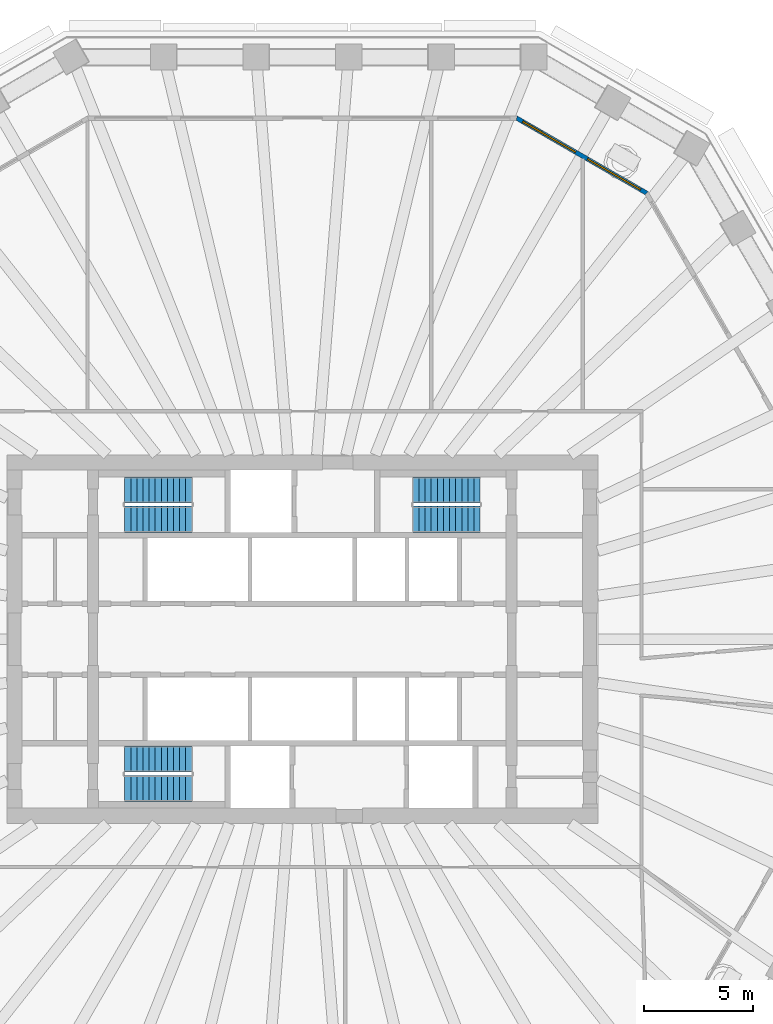
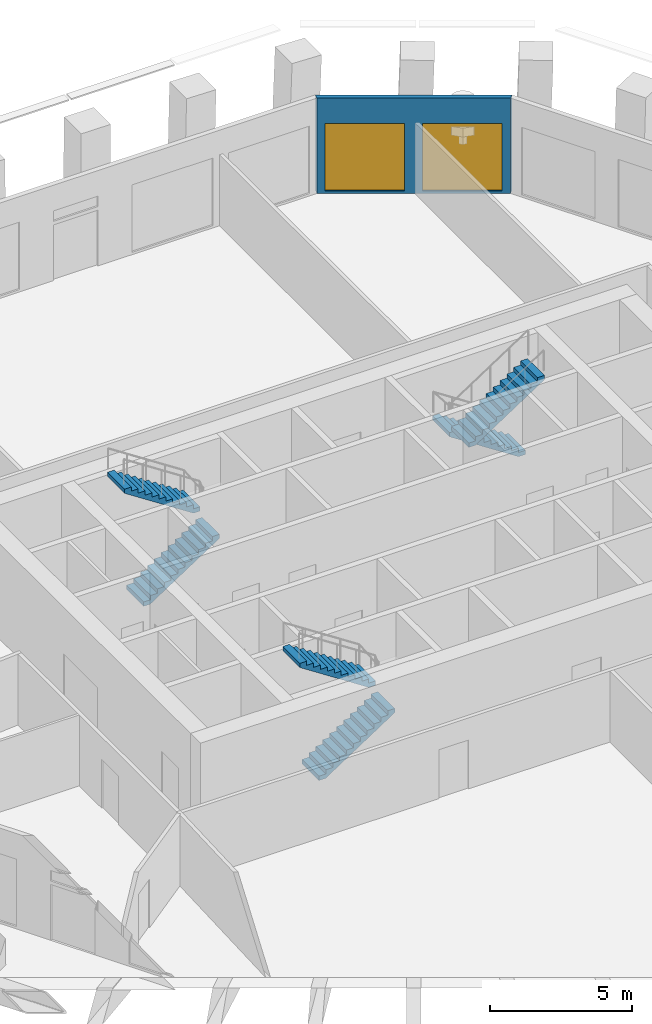
# One storey, part 8 of 12: 6 stair flights, 2 windows, 1 wall, 2 openings, 3 elements without a shape of their own.
"""IFC4 building model written with IfcOpenShell, lengths in metres."""

from ifc_helpers import new_model, si_unit, direction, frame, frame_2d, origin, place, context, subcontext, project, spatial, polyline, rectangle, outline, extrude, material, layer, layer_set, type_object, element, fill, aggregate, save


model = new_model("IFC4")

# Units and contexts
model_context = context("Model", 3, precision=1e-05, world=origin(), true_north=direction((0.0, 1.0)))
body_context = subcontext(model_context, "Body", "Model", "MODEL_VIEW")
ifc_project = project(units=[si_unit("LENGTHUNIT", "METRE"), si_unit("AREAUNIT", "SQUARE_METRE"), si_unit("VOLUMEUNIT", "CUBIC_METRE"), si_unit("PLANEANGLEUNIT", "RADIAN"), si_unit("MASSUNIT", "GRAM", prefix="KILO")], contexts=[model_context])

# Site, building, storey
site_placement = place(None, origin())
site = spatial("IfcSite", under=ifc_project, at=site_placement, CompositionType="ELEMENT")
building_placement = place(site_placement, origin())
building = spatial("IfcBuilding", under=site, at=building_placement, Name="Frailejon Research Tower", CompositionType="ELEMENT")
storey_placement = place(building_placement, frame((0.0, 0.0, 145.199951171875)))
storey = spatial("IfcBuildingStorey", under=building, at=storey_placement, Name="L31", CompositionType="ELEMENT", Elevation=145.199951171875)

# Wall, openings, windows
ifc_material_1 = material(Name="Concrete C40/50 precast window wall panel", Category="concrete")
ifc_layer_1 = layer(ifc_material_1, 0.199951171875)
ifc_layer_set_1 = layer_set([ifc_layer_1], Name="Window wall 200")
wall_type = type_object("IfcWallType", Name="Window wall 200", PredefinedType="SOLIDWALL", material=ifc_layer_set_1)
wall_placement = place(storey_placement, frame((15.783203125, 20.462646484375, 0.0), z_axis=(0.0, 0.0, 1.0), x_axis=(-0.866029458321, 0.49999297727, 0.0)))
wall = element("IfcWall", 1, at=wall_placement, inside=storey, type_object=wall_type, Name="Exterior wall L31", PredefinedType="SOLIDWALL", context=body_context, shape_type="SweptSolid", body=[
    extrude(outline(polyline([(-0.02685546875, -0.10009765625), (1.1279296875, -0.10009765625), (2.282470703125, -0.10009765625), (3.437255859375, -0.10009765625), (4.592041015625, -0.10009765625), (5.74658203125, -0.10009765625), (6.9013671875, -0.10009765625), (6.84765625, 0.10009765625), (5.7109375, 0.10009765625), (4.573974609375, 0.10009765625), (3.437255859375, 0.10009765625), (2.300537109375, 0.10009765625), (1.16357421875, 0.10009765625), (0.02685546875, 0.10009765625), (-0.02685546875, -0.10009765625)])), origin(), (0.0, 0.0, 1.0), 4.10009765625),
])
opening_1_placement = place(wall_placement, frame((0.318603515625, 0.0, 0.10009765625)))
opening_1 = element("IfcOpeningElement", 2, at=opening_1_placement, cuts=wall, Name="Opening W3", PredefinedType="OPENING", context=body_context, shape_type="SweptSolid", body=[
    extrude(rectangle(XDim=2.800048828125, YDim=2.89990234375, at=frame_2d((1.39990234375, 1.449951171875))), frame((0.0, 0.10986328125, 0.0), z_axis=(0.0, -1.0, 0.0), x_axis=(1.0, 0.0, 0.0)), (0.0, 0.0, 1.0), 0.219970703125),
])
opening_2_placement = place(wall_placement, frame((3.756103515625, 0.0, 0.10009765625)))
opening_2 = element("IfcOpeningElement", 3, at=opening_2_placement, cuts=wall, Name="Opening W3", PredefinedType="OPENING", context=body_context, shape_type="SweptSolid", body=[
    extrude(rectangle(XDim=2.800048828125, YDim=2.89990234375, at=frame_2d((1.39990234375, 1.449951171875))), frame((0.0, 0.10986328125, 0.0), z_axis=(0.0, -1.0, 0.0), x_axis=(1.0, 0.0, 0.0)), (0.0, 0.0, 1.0), 0.219970703125),
])
ifc_material_2 = material(Name="Aluminium framed double glazing", Category="aluminium")
window_type = type_object("IfcWindowType", Name="Window 2800x2900", PartitioningType="SINGLE_PANEL", PredefinedType="WINDOW", material=ifc_material_2)
window_1_placement = place(opening_1_placement, origin())
window_1 = element("IfcWindow", 4, at=window_1_placement, inside=storey, type_object=window_type, Name="Window L31", OverallHeight=2.89990234375, OverallWidth=2.800048828125, PartitioningType="SINGLE_PANEL", PredefinedType="WINDOW", context=body_context, shape_type="SweptSolid", body=[
    extrude(rectangle(XDim=2.800048828125, YDim=2.89990234375, at=frame_2d((1.39990234375, 1.449951171875))), frame((0.0, 0.030029296875, 0.0), z_axis=(0.0, -1.0, 0.0), x_axis=(1.0, 0.0, 0.0)), (0.0, 0.0, 1.0), 0.06005859375),
])
fill(opening_1, window_1)
window_2_placement = place(opening_2_placement, origin())
window_2 = element("IfcWindow", 5, at=window_2_placement, inside=storey, type_object=window_type, Name="Window L31", OverallHeight=2.89990234375, OverallWidth=2.800048828125, PartitioningType="SINGLE_PANEL", PredefinedType="WINDOW", context=body_context, shape_type="SweptSolid", body=[
    extrude(rectangle(XDim=2.800048828125, YDim=2.89990234375, at=frame_2d((1.39990234375, 1.449951171875))), frame((0.0, 0.030029296875, 0.0), z_axis=(0.0, -1.0, 0.0), x_axis=(1.0, 0.0, 0.0)), (0.0, 0.0, 1.0), 0.06005859375),
])
fill(opening_2, window_2)

# Stair, stair flights
ifc_material_3 = material(Name="Concrete C50/60", Category="concrete")
stair_type = type_object("IfcStairType", Name="Exit stair 24 risers", PredefinedType="HALF_TURN_STAIR", material=ifc_material_3)
stair_1_placement = place(storey_placement, origin())
stair_1 = element("IfcStair", 6, at=stair_1_placement, inside=storey, type_object=stair_type, Name="L31 Exit stair ST1", PredefinedType="HALF_TURN_STAIR")
ifc_material_4 = material(Name="Concrete C50/60", Category="concrete")
ifc_layer_2 = layer(ifc_material_4, 0.14990234375)
ifc_layer_set_2 = layer_set([ifc_layer_2], Name="Stair flight 12 risers")
stair_flight_type = type_object("IfcStairFlightType", Name="Stair flight 12 risers", PredefinedType="STRAIGHT", material=ifc_layer_set_2)
stair_flight_1_placement = place(storey_placement, frame((-8.14990234375, 5.5, 0.0), z_axis=(0.0, 0.0, 1.0), x_axis=(1.0, 0.0, 0.0)))
stair_flight_1 = element("IfcStairFlight", 7, at=stair_flight_1_placement, type_object=stair_flight_type, Name="ST1 flight 1", NumberOfRisers=12, NumberOfTreads=11, PredefinedType="STRAIGHT", RiserHeight=0.183333333, TreadLength=0.28, context=body_context, shape_type="SweptSolid", body=[
    extrude(outline(polyline([(0.0, 0.0), (0.0, 0.183349609375), (0.280029296875, 0.183349609375), (0.280029296875, 0.36669921875), (0.56005859375, 0.36669921875), (0.56005859375, 0.550048828125), (0.840087890625, 0.550048828125), (0.840087890625, 0.7333984375), (1.1201171875, 0.7333984375), (1.1201171875, 0.916748046875), (1.39990234375, 0.916748046875), (1.39990234375, 1.10009765625), (1.679931640625, 1.10009765625), (1.679931640625, 1.283447265625), (1.9599609375, 1.283447265625), (1.9599609375, 1.466552734375), (2.239990234375, 1.466552734375), (2.239990234375, 1.64990234375), (2.52001953125, 1.64990234375), (2.52001953125, 1.833251953125), (2.800048828125, 1.833251953125), (2.800048828125, 2.0166015625), (3.080078125, 2.0166015625), (3.080078125, 2.199951171875), (3.080078125, 1.83740234375), (0.273681640625, 0.0), (0.0, 0.0)])), frame((0.0, 0.60009765625, 0.0), z_axis=(0.0, -1.0, 0.0), x_axis=(1.0, 0.0, 0.0)), (0.0, 0.0, 1.0), 1.199951171875),
])
stair_flight_2_placement = place(storey_placement, frame((-5.070068359375, 6.85009765625, 2.199951171875), z_axis=(0.0, 0.0, 1.0), x_axis=(-1.0, 0.0, 0.0)))
stair_flight_2 = element("IfcStairFlight", 8, at=stair_flight_2_placement, type_object=stair_flight_type, Name="ST1 flight 2", NumberOfRisers=12, NumberOfTreads=11, PredefinedType="STRAIGHT", RiserHeight=0.183333333, TreadLength=0.28, context=body_context, shape_type="SweptSolid", body=[
    extrude(outline(polyline([(0.0, 0.0), (0.0, 0.183349609375), (0.280029296875, 0.183349609375), (0.280029296875, 0.36669921875), (0.56005859375, 0.36669921875), (0.56005859375, 0.550048828125), (0.840087890625, 0.550048828125), (0.840087890625, 0.7333984375), (1.1201171875, 0.7333984375), (1.1201171875, 0.916748046875), (1.39990234375, 0.916748046875), (1.39990234375, 1.10009765625), (1.679931640625, 1.10009765625), (1.679931640625, 1.283447265625), (1.9599609375, 1.283447265625), (1.9599609375, 1.466552734375), (2.239990234375, 1.466552734375), (2.239990234375, 1.64990234375), (2.52001953125, 1.64990234375), (2.52001953125, 1.833251953125), (2.800048828125, 1.833251953125), (2.800048828125, 2.0166015625), (3.080078125, 2.0166015625), (3.080078125, 2.199951171875), (3.080078125, 1.83740234375), (0.273681640625, 0.0), (0.0, 0.0)])), frame((0.0, 0.60009765625, 0.0), z_axis=(0.0, -1.0, 0.0), x_axis=(1.0, 0.0, 0.0)), (0.0, 0.0, 1.0), 1.199951171875),
])
aggregate(stair_1, [stair_flight_1, stair_flight_2])

stair_2_placement = place(storey_placement, origin())
stair_2 = element("IfcStair", 9, at=stair_2_placement, inside=storey, type_object=stair_type, Name="L31 Exit stair ST2", PredefinedType="HALF_TURN_STAIR")
stair_flight_3_placement = place(storey_placement, frame((-8.14990234375, -6.85009765625, 0.0), z_axis=(0.0, 0.0, 1.0), x_axis=(1.0, 0.0, 0.0)))
stair_flight_3 = element("IfcStairFlight", 10, at=stair_flight_3_placement, type_object=stair_flight_type, Name="ST2 flight 1", NumberOfRisers=12, NumberOfTreads=11, PredefinedType="STRAIGHT", RiserHeight=0.183333333, TreadLength=0.28, context=body_context, shape_type="SweptSolid", body=[
    extrude(outline(polyline([(0.0, 0.0), (0.0, 0.183349609375), (0.280029296875, 0.183349609375), (0.280029296875, 0.36669921875), (0.56005859375, 0.36669921875), (0.56005859375, 0.550048828125), (0.840087890625, 0.550048828125), (0.840087890625, 0.7333984375), (1.1201171875, 0.7333984375), (1.1201171875, 0.916748046875), (1.39990234375, 0.916748046875), (1.39990234375, 1.10009765625), (1.679931640625, 1.10009765625), (1.679931640625, 1.283447265625), (1.9599609375, 1.283447265625), (1.9599609375, 1.466552734375), (2.239990234375, 1.466552734375), (2.239990234375, 1.64990234375), (2.52001953125, 1.64990234375), (2.52001953125, 1.833251953125), (2.800048828125, 1.833251953125), (2.800048828125, 2.0166015625), (3.080078125, 2.0166015625), (3.080078125, 2.199951171875), (3.080078125, 1.83740234375), (0.273681640625, 0.0), (0.0, 0.0)])), frame((0.0, 0.60009765625, 0.0), z_axis=(0.0, -1.0, 0.0), x_axis=(1.0, 0.0, 0.0)), (0.0, 0.0, 1.0), 1.199951171875),
])
stair_flight_4_placement = place(storey_placement, frame((-5.070068359375, -5.5, 2.199951171875), z_axis=(0.0, 0.0, 1.0), x_axis=(-1.0, 0.0, 0.0)))
stair_flight_4 = element("IfcStairFlight", 11, at=stair_flight_4_placement, type_object=stair_flight_type, Name="ST2 flight 2", NumberOfRisers=12, NumberOfTreads=11, PredefinedType="STRAIGHT", RiserHeight=0.183333333, TreadLength=0.28, context=body_context, shape_type="SweptSolid", body=[
    extrude(outline(polyline([(0.0, 0.0), (0.0, 0.183349609375), (0.280029296875, 0.183349609375), (0.280029296875, 0.36669921875), (0.56005859375, 0.36669921875), (0.56005859375, 0.550048828125), (0.840087890625, 0.550048828125), (0.840087890625, 0.7333984375), (1.1201171875, 0.7333984375), (1.1201171875, 0.916748046875), (1.39990234375, 0.916748046875), (1.39990234375, 1.10009765625), (1.679931640625, 1.10009765625), (1.679931640625, 1.283447265625), (1.9599609375, 1.283447265625), (1.9599609375, 1.466552734375), (2.239990234375, 1.466552734375), (2.239990234375, 1.64990234375), (2.52001953125, 1.64990234375), (2.52001953125, 1.833251953125), (2.800048828125, 1.833251953125), (2.800048828125, 2.0166015625), (3.080078125, 2.0166015625), (3.080078125, 2.199951171875), (3.080078125, 1.83740234375), (0.273681640625, 0.0), (0.0, 0.0)])), frame((0.0, 0.60009765625, 0.0), z_axis=(0.0, -1.0, 0.0), x_axis=(1.0, 0.0, 0.0)), (0.0, 0.0, 1.0), 1.199951171875),
])
aggregate(stair_2, [stair_flight_3, stair_flight_4])

stair_3_placement = place(storey_placement, origin())
stair_3 = element("IfcStair", 12, at=stair_3_placement, inside=storey, type_object=stair_type, Name="L31 Exit stair ST3", PredefinedType="HALF_TURN_STAIR")
stair_flight_5_placement = place(storey_placement, frame((8.14990234375, 6.85009765625, 0.0), z_axis=(0.0, 0.0, 1.0), x_axis=(-1.0, 0.0, 0.0)))
stair_flight_5 = element("IfcStairFlight", 13, at=stair_flight_5_placement, type_object=stair_flight_type, Name="ST3 flight 1", NumberOfRisers=12, NumberOfTreads=11, PredefinedType="STRAIGHT", RiserHeight=0.183333333, TreadLength=0.28, context=body_context, shape_type="SweptSolid", body=[
    extrude(outline(polyline([(0.0, 0.0), (0.0, 0.183349609375), (0.280029296875, 0.183349609375), (0.280029296875, 0.36669921875), (0.56005859375, 0.36669921875), (0.56005859375, 0.550048828125), (0.840087890625, 0.550048828125), (0.840087890625, 0.7333984375), (1.1201171875, 0.7333984375), (1.1201171875, 0.916748046875), (1.39990234375, 0.916748046875), (1.39990234375, 1.10009765625), (1.679931640625, 1.10009765625), (1.679931640625, 1.283447265625), (1.9599609375, 1.283447265625), (1.9599609375, 1.466552734375), (2.239990234375, 1.466552734375), (2.239990234375, 1.64990234375), (2.52001953125, 1.64990234375), (2.52001953125, 1.833251953125), (2.800048828125, 1.833251953125), (2.800048828125, 2.0166015625), (3.080078125, 2.0166015625), (3.080078125, 2.199951171875), (3.080078125, 1.83740234375), (0.273681640625, 0.0), (0.0, 0.0)])), frame((0.0, 0.60009765625, 0.0), z_axis=(0.0, -1.0, 0.0), x_axis=(1.0, 0.0, 0.0)), (0.0, 0.0, 1.0), 1.199951171875),
])
stair_flight_6_placement = place(storey_placement, frame((5.070068359375, 5.5, 2.199951171875), z_axis=(0.0, 0.0, 1.0), x_axis=(1.0, 0.0, 0.0)))
stair_flight_6 = element("IfcStairFlight", 14, at=stair_flight_6_placement, type_object=stair_flight_type, Name="ST3 flight 2", NumberOfRisers=12, NumberOfTreads=11, PredefinedType="STRAIGHT", RiserHeight=0.183333333, TreadLength=0.28, context=body_context, shape_type="SweptSolid", body=[
    extrude(outline(polyline([(0.0, 0.0), (0.0, 0.183349609375), (0.280029296875, 0.183349609375), (0.280029296875, 0.36669921875), (0.56005859375, 0.36669921875), (0.56005859375, 0.550048828125), (0.840087890625, 0.550048828125), (0.840087890625, 0.7333984375), (1.1201171875, 0.7333984375), (1.1201171875, 0.916748046875), (1.39990234375, 0.916748046875), (1.39990234375, 1.10009765625), (1.679931640625, 1.10009765625), (1.679931640625, 1.283447265625), (1.9599609375, 1.283447265625), (1.9599609375, 1.466552734375), (2.239990234375, 1.466552734375), (2.239990234375, 1.64990234375), (2.52001953125, 1.64990234375), (2.52001953125, 1.833251953125), (2.800048828125, 1.833251953125), (2.800048828125, 2.0166015625), (3.080078125, 2.0166015625), (3.080078125, 2.199951171875), (3.080078125, 1.83740234375), (0.273681640625, 0.0), (0.0, 0.0)])), frame((0.0, 0.60009765625, 0.0), z_axis=(0.0, -1.0, 0.0), x_axis=(1.0, 0.0, 0.0)), (0.0, 0.0, 1.0), 1.199951171875),
])
aggregate(stair_3, [stair_flight_5, stair_flight_6])

save(model, "model.ifc")
